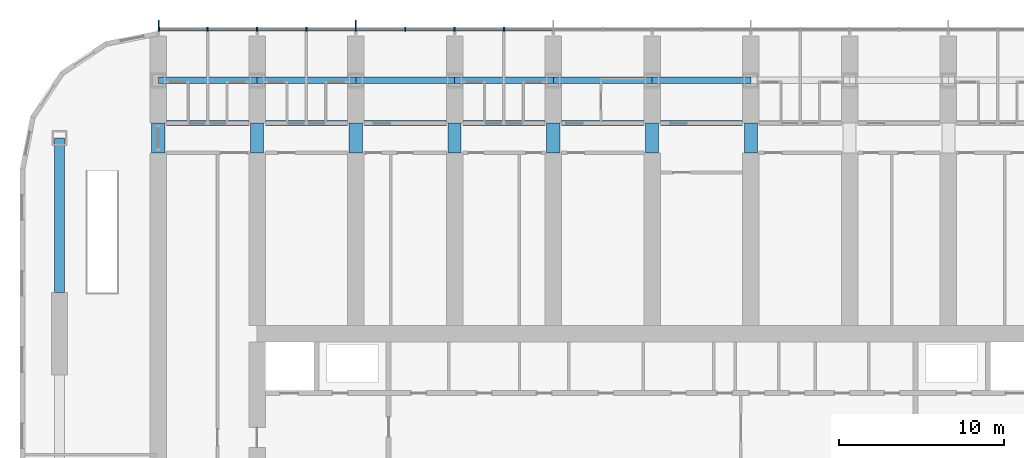
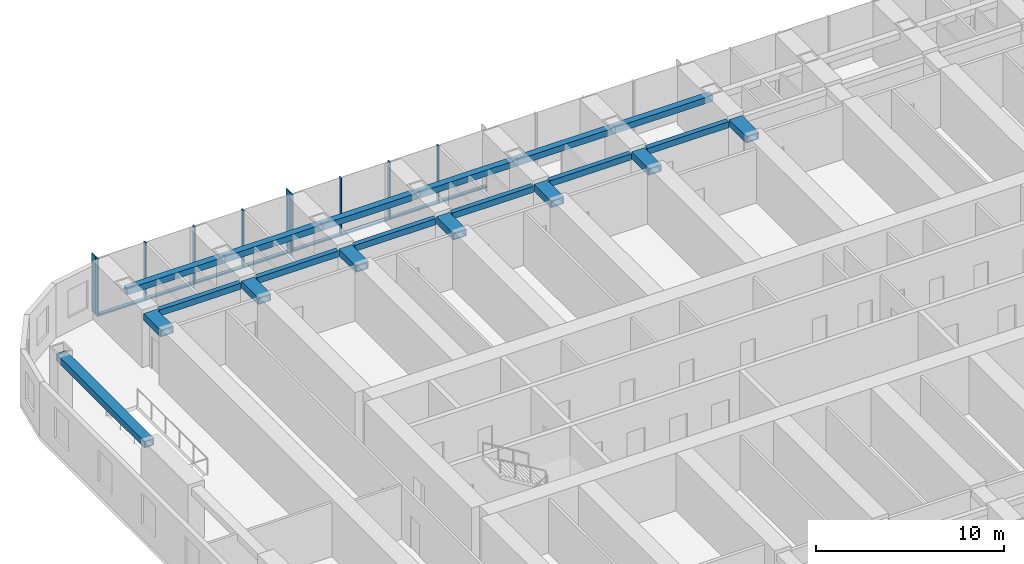
# One storey, part 4 of 24: 20 beams, 18 members, 1 element without a shape of its own.
"""IFC4 building model written with IfcOpenShell, lengths in metres."""

from ifc_helpers import new_model, si_unit, direction, frame, origin, origin_2d, place, context, subcontext, project, spatial, rectangle, hollow_rectangle, extrude, material, material_profile, profile_set, type_object, element, aggregate, save


model = new_model("IFC4")

# Units and contexts
model_context = context("Model", 3, precision=1e-05, world=origin(), true_north=direction((0.0, 1.0)))
body_context = subcontext(model_context, "Body", "Model", "MODEL_VIEW")
ifc_project = project(units=[si_unit("LENGTHUNIT", "METRE"), si_unit("AREAUNIT", "SQUARE_METRE"), si_unit("VOLUMEUNIT", "CUBIC_METRE"), si_unit("PLANEANGLEUNIT", "RADIAN"), si_unit("MASSUNIT", "GRAM", prefix="KILO")], contexts=[model_context])

# Site, building, storey
site_placement = place(None, origin())
site = spatial("IfcSite", under=ifc_project, at=site_placement, CompositionType="ELEMENT")
building_placement = place(site_placement, origin())
building = spatial("IfcBuilding", under=site, at=building_placement, Name="Orbita Commons", CompositionType="ELEMENT")
storey_placement = place(building_placement, frame((0.0, 0.0, 27.699951171875)))
storey = spatial("IfcBuildingStorey", under=building, at=storey_placement, Name="L06", CompositionType="ELEMENT", Elevation=27.699951171875)

# Curtain wall, members
ifc_material_1 = material(Name="Anodised aluminium frame, pale silver", Category="aluminium")
curtain_wall_type = type_object("IfcCurtainWallType", Name="Unitised curtain wall CW-T, vision and spandrel", PredefinedType="NOTDEFINED", material=ifc_material_1)
curtain_wall_placement = place(storey_placement, origin())
curtain_wall = element("IfcCurtainWall", 1, at=curtain_wall_placement, inside=storey, type_object=curtain_wall_type, Name="Curtain wall north L06", PredefinedType="NOTDEFINED")
ifc_material_2 = material(Name="Anodised aluminium, pale silver", Category="aluminium")
ifc_material_profile_1 = material_profile(ifc_material_2, rectangle(XDim=0.080078125, YDim=0.219970703125, at=origin_2d()), Name="AL 80x220")
ifc_profile_set_1 = profile_set([ifc_material_profile_1], Name="Anodised aluminium, pale silver")
member_type_1 = type_object("IfcMemberType", Name="Curtain wall mullion 80x220", PredefinedType="MULLION", material=ifc_profile_set_1)
member_1_placement = place(storey_placement, frame((33.0, 56.7099609375, -0.25), z_axis=(0.0, 0.0, 1.0), x_axis=(-1.0, 0.0, 0.0)))
member_1 = element("IfcMember", 2, at=member_1_placement, type_object=member_type_1, Name="Mullion 14 CW-L06-N", PredefinedType="MULLION", context=body_context, shape_type="SweptSolid", body=[
    extrude(rectangle(XDim=0.080078125, YDim=0.219970703125, at=origin_2d()), origin(), (0.0, 0.0, 1.0), 3.75),
])
member_2_placement = place(storey_placement, frame((30.0, 56.7099609375, -0.25), z_axis=(0.0, 0.0, 1.0), x_axis=(-1.0, 0.0, 0.0)))
member_2 = element("IfcMember", 3, at=member_2_placement, type_object=member_type_1, Name="Mullion 15 CW-L06-N", PredefinedType="MULLION", context=body_context, shape_type="SweptSolid", body=[
    extrude(rectangle(XDim=0.080078125, YDim=0.219970703125, at=origin_2d()), origin(), (0.0, 0.0, 1.0), 3.75),
])
member_3_placement = place(storey_placement, frame((27.0, 56.7099609375, -0.25), z_axis=(0.0, 0.0, 1.0), x_axis=(-1.0, 0.0, 0.0)))
member_3 = element("IfcMember", 4, at=member_3_placement, type_object=member_type_1, Name="Mullion 16 CW-L06-N", PredefinedType="MULLION", context=body_context, shape_type="SweptSolid", body=[
    extrude(rectangle(XDim=0.080078125, YDim=0.219970703125, at=origin_2d()), origin(), (0.0, 0.0, 1.0), 3.75),
])
member_4_placement = place(storey_placement, frame((24.0, 56.7099609375, -0.25), z_axis=(0.0, 0.0, 1.0), x_axis=(-1.0, 0.0, 0.0)))
member_4 = element("IfcMember", 5, at=member_4_placement, type_object=member_type_1, Name="Mullion 17 CW-L06-N", PredefinedType="MULLION", context=body_context, shape_type="SweptSolid", body=[
    extrude(rectangle(XDim=0.080078125, YDim=0.219970703125, at=origin_2d()), origin(), (0.0, 0.0, 1.0), 3.75),
])
member_5_placement = place(storey_placement, frame((21.0, 56.7099609375, -0.25), z_axis=(0.0, 0.0, 1.0), x_axis=(-1.0, 0.0, 0.0)))
member_5 = element("IfcMember", 6, at=member_5_placement, type_object=member_type_1, Name="Mullion 18 CW-L06-N", PredefinedType="MULLION", context=body_context, shape_type="SweptSolid", body=[
    extrude(rectangle(XDim=0.080078125, YDim=0.219970703125, at=origin_2d()), origin(), (0.0, 0.0, 1.0), 3.75),
])
member_6_placement = place(storey_placement, frame((18.0, 56.7099609375, -0.25), z_axis=(0.0, 0.0, 1.0), x_axis=(-1.0, 0.0, 0.0)))
member_6 = element("IfcMember", 7, at=member_6_placement, type_object=member_type_1, Name="Mullion 19 CW-L06-N", PredefinedType="MULLION", context=body_context, shape_type="SweptSolid", body=[
    extrude(rectangle(XDim=0.080078125, YDim=0.219970703125, at=origin_2d()), origin(), (0.0, 0.0, 1.0), 3.75),
])
member_7_placement = place(storey_placement, frame((15.0, 56.7099609375, -0.25), z_axis=(0.0, 0.0, 1.0), x_axis=(-1.0, 0.0, 0.0)))
member_7 = element("IfcMember", 8, at=member_7_placement, type_object=member_type_1, Name="Mullion 20 CW-L06-N", PredefinedType="MULLION", context=body_context, shape_type="SweptSolid", body=[
    extrude(rectangle(XDim=0.080078125, YDim=0.219970703125, at=origin_2d()), origin(), (0.0, 0.0, 1.0), 3.75),
])
member_8_placement = place(storey_placement, frame((12.0400390625, 56.7099609375, -0.25), z_axis=(0.0, 0.0, 1.0), x_axis=(-1.0, 0.0, 0.0)))
member_8 = element("IfcMember", 9, at=member_8_placement, type_object=member_type_1, Name="Mullion 21 CW-L06-N", PredefinedType="MULLION", context=body_context, shape_type="SweptSolid", body=[
    extrude(rectangle(XDim=0.080078125, YDim=0.219970703125, at=origin_2d()), origin(), (0.0, 0.0, 1.0), 3.75),
])
ifc_material_3 = material(Name="Anodised aluminium, pale silver", Category="aluminium")
ifc_material_profile_2 = material_profile(ifc_material_3, rectangle(XDim=0.219970703125, YDim=0.10009765625, at=origin_2d()), Name="AL 220x100")
ifc_profile_set_2 = profile_set([ifc_material_profile_2], Name="Anodised aluminium, pale silver")
member_type_2 = type_object("IfcMemberType", Name="Curtain wall stack transom 220x100", PredefinedType="USERDEFINED", material=ifc_profile_set_2)
member_9_placement = place(storey_placement, frame((35.9599609375, 56.7099609375, -0.199951171875), z_axis=(-1.0, 0.0, 0.0), x_axis=(0.0, -1.0, 0.0)))
member_9 = element("IfcMember", 10, at=member_9_placement, type_object=member_type_2, Name="Transom 13.1 CW-L06-N", ObjectType="TRANSOM", PredefinedType="USERDEFINED", context=body_context, shape_type="SweptSolid", body=[
    extrude(rectangle(XDim=0.219970703125, YDim=0.10009765625, at=origin_2d()), origin(), (0.0, 0.0, 1.0), 2.919921875),
])
member_10_placement = place(storey_placement, frame((32.9599609375, 56.7099609375, -0.199951171875), z_axis=(-1.0, 0.0, 0.0), x_axis=(0.0, -1.0, 0.0)))
member_10 = element("IfcMember", 11, at=member_10_placement, type_object=member_type_2, Name="Transom 14.1 CW-L06-N", ObjectType="TRANSOM", PredefinedType="USERDEFINED", context=body_context, shape_type="SweptSolid", body=[
    extrude(rectangle(XDim=0.219970703125, YDim=0.10009765625, at=origin_2d()), origin(), (0.0, 0.0, 1.0), 2.919921875),
])
member_11_placement = place(storey_placement, frame((29.9599609375, 56.7099609375, -0.199951171875), z_axis=(-1.0, 0.0, 0.0), x_axis=(0.0, -1.0, 0.0)))
member_11 = element("IfcMember", 12, at=member_11_placement, type_object=member_type_2, Name="Transom 15.1 CW-L06-N", ObjectType="TRANSOM", PredefinedType="USERDEFINED", context=body_context, shape_type="SweptSolid", body=[
    extrude(rectangle(XDim=0.219970703125, YDim=0.10009765625, at=origin_2d()), origin(), (0.0, 0.0, 1.0), 2.919921875),
])
member_12_placement = place(storey_placement, frame((26.9599609375, 56.7099609375, -0.199951171875), z_axis=(-1.0, 0.0, 0.0), x_axis=(0.0, -1.0, 0.0)))
member_12 = element("IfcMember", 13, at=member_12_placement, type_object=member_type_2, Name="Transom 16.1 CW-L06-N", ObjectType="TRANSOM", PredefinedType="USERDEFINED", context=body_context, shape_type="SweptSolid", body=[
    extrude(rectangle(XDim=0.219970703125, YDim=0.10009765625, at=origin_2d()), origin(), (0.0, 0.0, 1.0), 2.919921875),
])
member_13_placement = place(storey_placement, frame((23.9599609375, 56.7099609375, -0.199951171875), z_axis=(-1.0, 0.0, 0.0), x_axis=(0.0, -1.0, 0.0)))
member_13 = element("IfcMember", 14, at=member_13_placement, type_object=member_type_2, Name="Transom 17.1 CW-L06-N", ObjectType="TRANSOM", PredefinedType="USERDEFINED", context=body_context, shape_type="SweptSolid", body=[
    extrude(rectangle(XDim=0.219970703125, YDim=0.10009765625, at=origin_2d()), origin(), (0.0, 0.0, 1.0), 2.919921875),
])
member_14_placement = place(storey_placement, frame((20.9599609375, 56.7099609375, -0.199951171875), z_axis=(-1.0, 0.0, 0.0), x_axis=(0.0, -1.0, 0.0)))
member_14 = element("IfcMember", 15, at=member_14_placement, type_object=member_type_2, Name="Transom 18.1 CW-L06-N", ObjectType="TRANSOM", PredefinedType="USERDEFINED", context=body_context, shape_type="SweptSolid", body=[
    extrude(rectangle(XDim=0.219970703125, YDim=0.10009765625, at=origin_2d()), origin(), (0.0, 0.0, 1.0), 2.919921875),
])
member_15_placement = place(storey_placement, frame((17.9599609375, 56.7099609375, -0.199951171875), z_axis=(-1.0, 0.0, 0.0), x_axis=(0.0, -1.0, 0.0)))
member_15 = element("IfcMember", 16, at=member_15_placement, type_object=member_type_2, Name="Transom 19.1 CW-L06-N", ObjectType="TRANSOM", PredefinedType="USERDEFINED", context=body_context, shape_type="SweptSolid", body=[
    extrude(rectangle(XDim=0.219970703125, YDim=0.10009765625, at=origin_2d()), origin(), (0.0, 0.0, 1.0), 2.919921875),
])
member_16_placement = place(storey_placement, frame((14.9599609375, 56.7099609375, -0.199951171875), z_axis=(-1.0, 0.0, 0.0), x_axis=(0.0, -1.0, 0.0)))
member_16 = element("IfcMember", 17, at=member_16_placement, type_object=member_type_2, Name="Transom 20.1 CW-L06-N", ObjectType="TRANSOM", PredefinedType="USERDEFINED", context=body_context, shape_type="SweptSolid", body=[
    extrude(rectangle(XDim=0.219970703125, YDim=0.10009765625, at=origin_2d()), origin(), (0.0, 0.0, 1.0), 2.8798828125),
])

# Beams
ifc_material_4 = material(Name="Steel ASTM A572 Gr 50 welded plate", Category="steel")
ifc_material_profile_3 = material_profile(ifc_material_4, hollow_rectangle(XDim=0.300048828125, YDim=0.39990234375, WallThickness=0.0400390625, at=origin_2d()), Name="BOX 400x300x40")
ifc_profile_set_3 = profile_set([ifc_material_profile_3], Name="Steel ASTM A572 Gr 50 welded plate")
beam_type_1 = type_object("IfcBeamType", Name="Steel corridor link BOX 400x300x40", PredefinedType="BEAM", material=ifc_profile_set_3)
for number, where, z_axis, x_axis, name in (
    (18, (12.5, 51.0, 3.300048828125), (1.0, 0.0, 0.0), (0.0, 1.0, 0.0), "Corridor beam NB 3-4 L06"),
    (19, (18.5, 51.0, 3.300048828125), (1.0, 0.0, 0.0), (0.0, 1.0, 0.0), "Corridor beam NB 4-5 L06"),
    (20, (24.5, 51.0, 3.300048828125), (1.0, 0.0, 0.0), (0.0, 1.0, 0.0), "Corridor beam NB 5-6 L06"),
    (21, (30.5, 51.0, 3.300048828125), (1.0, 0.0, 0.0), (0.0, 1.0, 0.0), "Corridor beam NB 6-7 L06"),
    (22, (36.5, 51.0, 3.300048828125), (1.0, 0.0, 0.0), (0.0, 1.0, 0.0), "Corridor beam NB 7-8 L06"),
    (23, (42.5, 51.0, 3.300048828125), (1.0, 0.0, 0.0), (0.0, 1.0, 0.0), "Corridor beam NB 8-9 L06"),
):
    element("IfcBeam", number, at=place(storey_placement, frame(where, z_axis=z_axis, x_axis=x_axis)), inside=storey, type_object=beam_type_1, Name=name, PredefinedType="BEAM", context=body_context, shape_type="SweptSolid", body=[
        extrude(hollow_rectangle(XDim=0.300048828125, YDim=0.39990234375, WallThickness=0.0400390625, at=origin_2d()), origin(), (0.0, 0.0, 1.0), 5.0),
    ])
ifc_material_5 = material(Name="Steel ASTM A572 Gr 50 welded plate", Category="steel")
ifc_material_profile_4 = material_profile(ifc_material_5, hollow_rectangle(XDim=0.800048828125, YDim=0.449951171875, WallThickness=0.06005859375, at=origin_2d()), Name="BOX 450x800x60")
ifc_profile_set_4 = profile_set([ifc_material_profile_4], Name="Steel ASTM A572 Gr 50 welded plate")
beam_type_2 = type_object("IfcBeamType", Name="Steel coupling link BOX 450x800x60", PredefinedType="LINTEL", material=ifc_profile_set_4)
for number, where, z_axis, x_axis, name in (
    (24, (12.0, 49.199951171875, 3.275146484375), (0.0, 1.0, 0.0), (-1.0, 0.0, 0.0), "Coupling beam 3 north L06"),
    (25, (18.0, 49.199951171875, 3.275146484375), (0.0, 1.0, 0.0), (-1.0, 0.0, 0.0), "Coupling beam 4 north L06"),
    (26, (24.0, 49.199951171875, 3.275146484375), (0.0, 1.0, 0.0), (-1.0, 0.0, 0.0), "Coupling beam 5 north L06"),
    (27, (30.0, 49.199951171875, 3.275146484375), (0.0, 1.0, 0.0), (-1.0, 0.0, 0.0), "Coupling beam 6 north L06"),
    (28, (36.0, 49.199951171875, 3.275146484375), (0.0, 1.0, 0.0), (-1.0, 0.0, 0.0), "Coupling beam 7 north L06"),
    (29, (42.0, 49.199951171875, 3.275146484375), (0.0, 1.0, 0.0), (-1.0, 0.0, 0.0), "Coupling beam 8 north L06"),
    (30, (48.0, 49.199951171875, 3.275146484375), (0.0, 1.0, 0.0), (-1.0, 0.0, 0.0), "Coupling beam 9 north L06"),
):
    element("IfcBeam", number, at=place(storey_placement, frame(where, z_axis=z_axis, x_axis=x_axis)), inside=storey, type_object=beam_type_2, Name=name, PredefinedType="LINTEL", context=body_context, shape_type="SweptSolid", body=[
        extrude(hollow_rectangle(XDim=0.800048828125, YDim=0.449951171875, WallThickness=0.06005859375, at=origin_2d()), origin(), (0.0, 0.0, 1.0), 1.800048828125),
    ])
ifc_material_6 = material(Name="Steel ASTM A572 Gr 50 welded plate", Category="steel")
ifc_material_profile_5 = material_profile(ifc_material_6, hollow_rectangle(XDim=0.60009765625, YDim=0.449951171875, WallThickness=0.06005859375, at=origin_2d()), Name="BOX 450x600x60")
ifc_profile_set_5 = profile_set([ifc_material_profile_5], Name="Steel ASTM A572 Gr 50 welded plate")
beam_type_3 = type_object("IfcBeamType", Name="Steel end frame link BOX 450x600x60", PredefinedType="BEAM", material=ifc_profile_set_5)
beam_placement = place(storey_placement, frame((6.0, 40.699951171875, 3.275146484375), z_axis=(0.0, 1.0, 0.0), x_axis=(-1.0, 0.0, 0.0)))
element("IfcBeam", 31, at=beam_placement, inside=storey, type_object=beam_type_3, Name="End frame beam 2 D-E L06", PredefinedType="BEAM", context=body_context, shape_type="SweptSolid", body=[
    extrude(hollow_rectangle(XDim=0.60009765625, YDim=0.449951171875, WallThickness=0.06005859375, at=origin_2d()), origin(), (0.0, 0.0, 1.0), 9.400146484375),
])
ifc_material_7 = material(Name="Steel ASTM A572 Gr 50 welded plate", Category="steel")
ifc_material_profile_6 = material_profile(ifc_material_7, hollow_rectangle(XDim=0.39990234375, YDim=0.39990234375, WallThickness=0.0400390625, at=origin_2d()), Name="BOX 400x400x40")
ifc_profile_set_6 = profile_set([ifc_material_profile_6], Name="Steel ASTM A572 Gr 50 welded plate")
beam_type_4 = type_object("IfcBeamType", Name="Steel spandrel BOX 400x400x40", PredefinedType="SPANDREL", material=ifc_profile_set_6)
for number, where, z_axis, x_axis, name in (
    (32, (12.0, 53.60009765625, 3.300048828125), (1.0, 0.0, 0.0), (0.0, 1.0, 0.0), "Spandrel beam E 3-4 L06"),
    (33, (18.0, 53.60009765625, 3.300048828125), (1.0, 0.0, 0.0), (0.0, 1.0, 0.0), "Spandrel beam E 4-5 L06"),
    (34, (24.0, 53.60009765625, 3.300048828125), (1.0, 0.0, 0.0), (0.0, 1.0, 0.0), "Spandrel beam E 5-6 L06"),
    (35, (30.0, 53.60009765625, 3.300048828125), (1.0, 0.0, 0.0), (0.0, 1.0, 0.0), "Spandrel beam E 6-7 L06"),
    (36, (36.0, 53.60009765625, 3.300048828125), (1.0, 0.0, 0.0), (0.0, 1.0, 0.0), "Spandrel beam E 7-8 L06"),
    (37, (42.0, 53.60009765625, 3.300048828125), (1.0, 0.0, 0.0), (0.0, 1.0, 0.0), "Spandrel beam E 8-9 L06"),
):
    element("IfcBeam", number, at=place(storey_placement, frame(where, z_axis=z_axis, x_axis=x_axis)), inside=storey, type_object=beam_type_4, Name=name, PredefinedType="SPANDREL", context=body_context, shape_type="SweptSolid", body=[
        extrude(hollow_rectangle(XDim=0.39990234375, YDim=0.39990234375, WallThickness=0.0400390625, at=origin_2d()), origin(), (0.0, 0.0, 1.0), 6.0),
    ])

# Member
ifc_material_8 = material(Name="Anodised aluminium, pale silver", Category="aluminium")
ifc_material_profile_7 = material_profile(ifc_material_8, rectangle(XDim=0.06005859375, YDim=0.449951171875, at=origin_2d()), Name="FIN 60x450")
ifc_profile_set_7 = profile_set([ifc_material_profile_7], Name="Anodised aluminium, pale silver")
member_type_3 = type_object("IfcMemberType", Name="Vertical fin 60x450 pale aluminium", PredefinedType="USERDEFINED", material=ifc_profile_set_7)
member_17_placement = place(storey_placement, frame((24.0, 57.044921875, -0.25), z_axis=(0.0, 0.0, 1.0), x_axis=(-1.0, 0.0, 0.0)))
member_17 = element("IfcMember", 38, at=member_17_placement, type_object=member_type_3, Name="Fin 17 CW-L06-N", ObjectType="FIN", PredefinedType="USERDEFINED", context=body_context, shape_type="SweptSolid", body=[
    extrude(rectangle(XDim=0.06005859375, YDim=0.449951171875, at=origin_2d()), origin(), (0.0, 0.0, 1.0), 3.75),
])

member_18_placement = place(storey_placement, frame((12.0400390625, 57.044921875, -0.25), z_axis=(0.0, 0.0, 1.0), x_axis=(-1.0, 0.0, 0.0)))
member_18 = element("IfcMember", 39, at=member_18_placement, type_object=member_type_3, Name="Fin 21 CW-L06-N", ObjectType="FIN", PredefinedType="USERDEFINED", context=body_context, shape_type="SweptSolid", body=[
    extrude(rectangle(XDim=0.06005859375, YDim=0.449951171875, at=origin_2d()), origin(), (0.0, 0.0, 1.0), 3.75),
])

aggregate(curtain_wall, [member_1, member_2, member_3, member_4, member_17, member_5, member_6, member_7, member_8, member_18, member_9, member_10, member_11, member_12, member_13, member_14, member_15, member_16])

save(model, "model.ifc")
